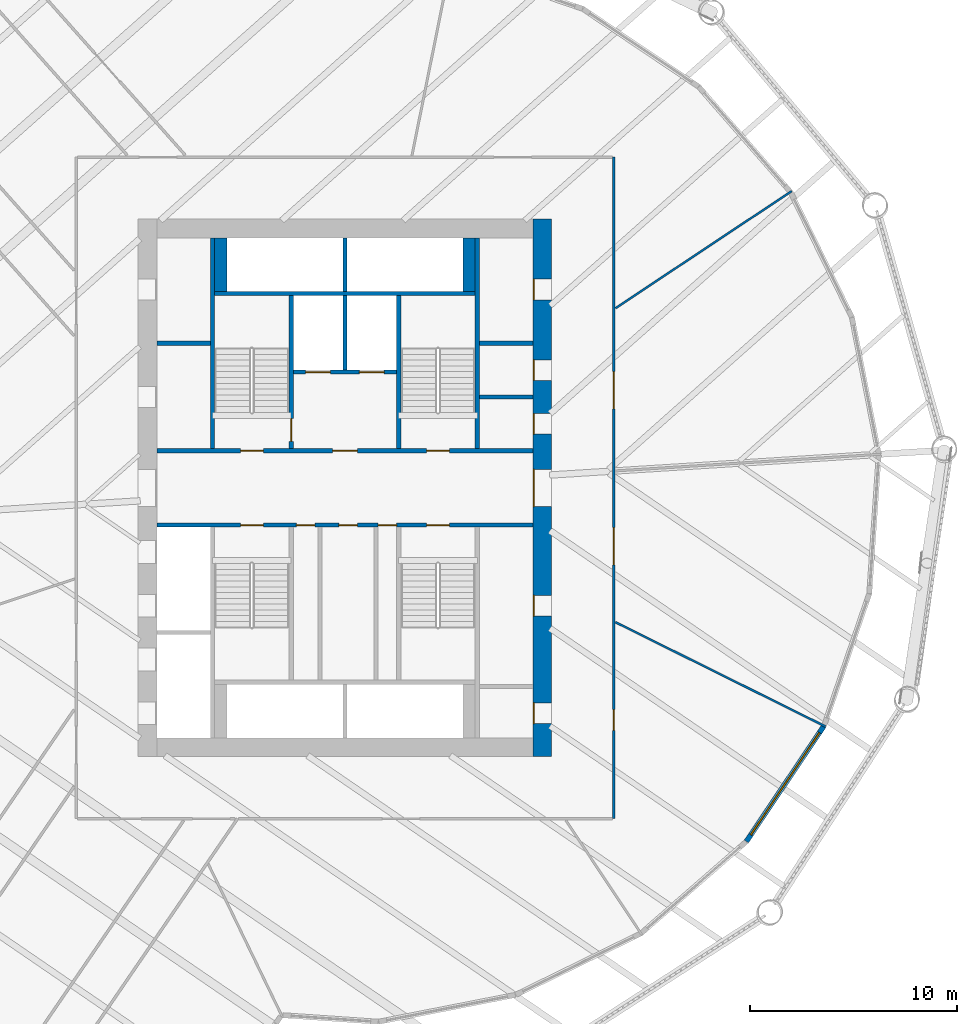
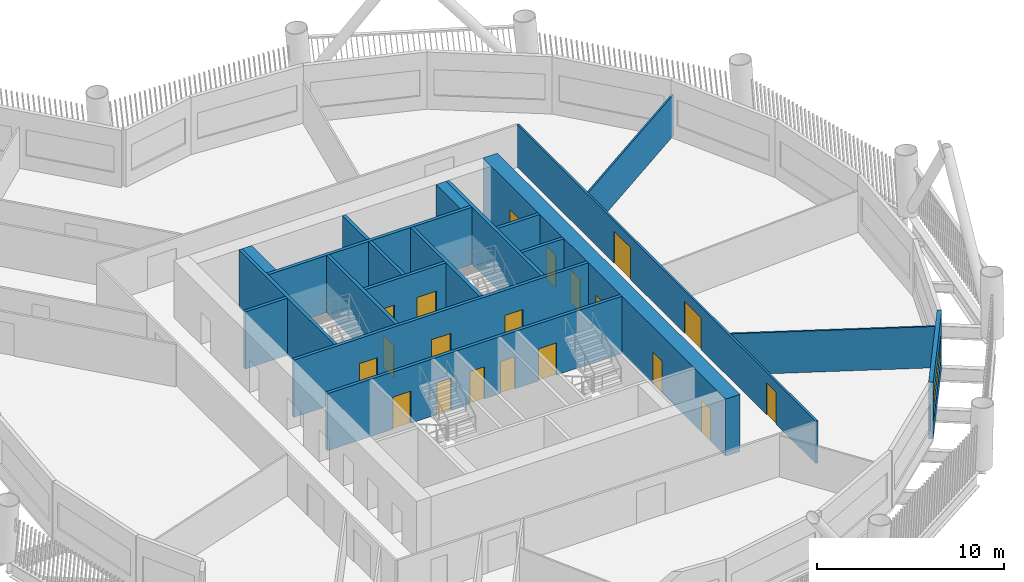
# One storey, part 5 of 22: 20 doors, 20 walls, 1 window, 21 openings.
"""IFC4 building model written with IfcOpenShell, lengths in metres."""

from ifc_helpers import new_model, si_unit, direction, frame, frame_2d, origin, place, context, subcontext, project, spatial, rectangle, extrude, material, layer, layer_set, type_object, element, fill, save


model = new_model("IFC4")

# Units and contexts
model_context = context("Model", 3, precision=1e-05, world=origin(), true_north=direction((0.0, 1.0)))
body_context = subcontext(model_context, "Body", "Model", "MODEL_VIEW")
ifc_project = project(units=[si_unit("LENGTHUNIT", "METRE"), si_unit("AREAUNIT", "SQUARE_METRE"), si_unit("VOLUMEUNIT", "CUBIC_METRE"), si_unit("PLANEANGLEUNIT", "RADIAN"), si_unit("MASSUNIT", "GRAM", prefix="KILO")], contexts=[model_context])

# Site, building, storey
site_placement = place(None, origin())
site = spatial("IfcSite", under=ifc_project, at=site_placement, CompositionType="ELEMENT")
building_placement = place(site_placement, origin())
building = spatial("IfcBuilding", under=site, at=building_placement, Name="Tarsis Ring Headquarters", CompositionType="ELEMENT")
storey_placement = place(building_placement, frame((0.0, 0.0, 55.60009765625)))
storey = spatial("IfcBuildingStorey", under=building, at=storey_placement, Name="L11", CompositionType="ELEMENT", Elevation=55.60009765625)

# Walls
ifc_material_1 = material(Name="Blockwork", Category="masonry")
ifc_layer_1 = layer(ifc_material_1, 0.199951171875)
ifc_layer_set_1 = layer_set([ifc_layer_1], Name="Core blockwork wall 200")
wall_type_1 = type_object("IfcWallType", Name="Core blockwork wall 200", PredefinedType="PARTITIONING", material=ifc_layer_set_1)
for number, where, z_axis, x_axis, name in (
    (1, (-9.10009765625, 7.0, 0.0), (0.0, 0.0, 1.0), (1.0, 0.0, 0.0), "Core partition WD6"),
    (2, (6.5, 4.39990234375, 0.0), (0.0, 0.0, 1.0), (1.0, 0.0, 0.0), "Core partition ED5"),
    (3, (6.5, 7.0, 0.0), (0.0, 0.0, 1.0), (1.0, 0.0, 0.0), "Core partition ED6"),
):
    element("IfcWall", number, at=place(storey_placement, frame(where, z_axis=z_axis, x_axis=x_axis)), inside=storey, type_object=wall_type_1, Name=name, PredefinedType="PARTITIONING", context=body_context, shape_type="SweptSolid", body=[
        extrude(rectangle(XDim=2.60009765625, YDim=0.199951171875, at=frame_2d((1.300048828125, 0.0))), origin(), (0.0, 0.0, 1.0), 3.739990234375),
    ])

# Wall, openings, doors
ifc_material_2 = material(Name="Concrete C60/75", Category="concrete")
ifc_layer_2 = layer(ifc_material_2, 0.89990234375)
ifc_layer_set_2 = layer_set([ifc_layer_2], Name="Core wall 900 C60/75")
wall_type_2 = type_object("IfcWallType", Name="Core wall 900 C60/75", PredefinedType="SHEAR", material=ifc_layer_set_2)
wall_1_placement = place(storey_placement, frame((9.550048828125, -13.0, 0.0), z_axis=(0.0, 0.0, 1.0), x_axis=(0.0, 1.0, 0.0)))
wall_1 = element("IfcWall", 4, at=wall_1_placement, inside=storey, type_object=wall_type_2, Name="Core wall OE", PredefinedType="SHEAR", context=body_context, shape_type="SweptSolid", body=[
    extrude(rectangle(XDim=26.0, YDim=0.89990234375, at=frame_2d((13.0, 0.0))), origin(), (0.0, 0.0, 1.0), 3.739990234375),
])
opening_1_placement = place(wall_1_placement, frame((1.60009765625, 0.0, 0.0)))
opening_1 = element("IfcOpeningElement", 5, at=opening_1_placement, cuts=wall_1, Name="Opening L11-C08", PredefinedType="OPENING", context=body_context, shape_type="SweptSolid", body=[
    extrude(rectangle(XDim=1.0, YDim=2.10009765625, at=frame_2d((0.5, 1.050048828125))), frame((0.0, 0.4599609375, 0.0), z_axis=(0.0, -1.0, 0.0), x_axis=(1.0, 0.0, 0.0)), (0.0, 0.0, 1.0), 0.919921875),
])
opening_2_placement = place(wall_1_placement, frame((6.800048828125, 0.0, 0.0)))
opening_2 = element("IfcOpeningElement", 6, at=opening_2_placement, cuts=wall_1, Name="Opening L11-C09", PredefinedType="OPENING", context=body_context, shape_type="SweptSolid", body=[
    extrude(rectangle(XDim=1.0, YDim=2.10009765625, at=frame_2d((0.5, 1.050048828125))), frame((0.0, 0.4599609375, 0.0), z_axis=(0.0, -1.0, 0.0), x_axis=(1.0, 0.0, 0.0)), (0.0, 0.0, 1.0), 0.919921875),
])
opening_3_placement = place(wall_1_placement, frame((12.10009765625, 0.0, 0.0)))
opening_3 = element("IfcOpeningElement", 7, at=opening_3_placement, cuts=wall_1, Name="Opening L11-C10", PredefinedType="OPENING", context=body_context, shape_type="SweptSolid", body=[
    extrude(rectangle(XDim=1.800048828125, YDim=2.10009765625, at=frame_2d((0.89990234375, 1.050048828125))), frame((0.0, 0.4599609375, 0.0), z_axis=(0.0, -1.0, 0.0), x_axis=(1.0, 0.0, 0.0)), (0.0, 0.0, 1.0), 0.919921875),
])
opening_4_placement = place(wall_1_placement, frame((15.60009765625, 0.0, 0.0)))
opening_4 = element("IfcOpeningElement", 8, at=opening_4_placement, cuts=wall_1, Name="Opening L11-C11", PredefinedType="OPENING", context=body_context, shape_type="SweptSolid", body=[
    extrude(rectangle(XDim=1.0, YDim=2.10009765625, at=frame_2d((0.5, 1.050048828125))), frame((0.0, 0.4599609375, 0.0), z_axis=(0.0, -1.0, 0.0), x_axis=(1.0, 0.0, 0.0)), (0.0, 0.0, 1.0), 0.919921875),
])
opening_5_placement = place(wall_1_placement, frame((18.199951171875, 0.0, 0.0)))
opening_5 = element("IfcOpeningElement", 9, at=opening_5_placement, cuts=wall_1, Name="Opening L11-C12", PredefinedType="OPENING", context=body_context, shape_type="SweptSolid", body=[
    extrude(rectangle(XDim=1.0, YDim=2.10009765625, at=frame_2d((0.5, 1.050048828125))), frame((0.0, 0.4599609375, 0.0), z_axis=(0.0, -1.0, 0.0), x_axis=(1.0, 0.0, 0.0)), (0.0, 0.0, 1.0), 0.919921875),
])
opening_6_placement = place(wall_1_placement, frame((22.10009765625, 0.0, 0.0)))
opening_6 = element("IfcOpeningElement", 10, at=opening_6_placement, cuts=wall_1, Name="Opening L11-C13", PredefinedType="OPENING", context=body_context, shape_type="SweptSolid", body=[
    extrude(rectangle(XDim=1.0, YDim=2.10009765625, at=frame_2d((0.5, 1.050048828125))), frame((0.0, 0.4599609375, 0.0), z_axis=(0.0, -1.0, 0.0), x_axis=(1.0, 0.0, 0.0)), (0.0, 0.0, 1.0), 0.919921875),
])
ifc_material_3 = material(Name="Steel S355", Category="steel")
door_type_1 = type_object("IfcDoorType", Name="Core entry door 1800x2100", OperationType="DOUBLE_DOOR_SINGLE_SWING", PredefinedType="DOOR", material=ifc_material_3)
door_1_placement = place(opening_3_placement, origin())
door_1 = element("IfcDoor", 11, at=door_1_placement, inside=storey, type_object=door_type_1, Name="Core entry door L11", OperationType="DOUBLE_DOOR_SINGLE_SWING", OverallHeight=2.10009765625, OverallWidth=1.800048828125, PredefinedType="DOOR", context=body_context, shape_type="SweptSolid", body=[
    extrude(rectangle(XDim=1.800048828125, YDim=2.10009765625, at=frame_2d((0.89990234375, 1.050048828125))), frame((0.0, 0.4501953125, 0.0), z_axis=(0.0, -1.0, 0.0), x_axis=(1.0, 0.0, 0.0)), (0.0, 0.0, 1.0), 0.050048828125),
])
fill(opening_3, door_1)
door_type_2 = type_object("IfcDoorType", Name="Core room door 1000x2100", OperationType="SINGLE_SWING_LEFT", PredefinedType="DOOR", material=ifc_material_3)
door_2_placement = place(opening_1_placement, origin())
door_2 = element("IfcDoor", 12, at=door_2_placement, inside=storey, type_object=door_type_2, Name="Core room door L11", OperationType="SINGLE_SWING_LEFT", OverallHeight=2.10009765625, OverallWidth=1.0, PredefinedType="DOOR", context=body_context, shape_type="SweptSolid", body=[
    extrude(rectangle(XDim=1.0, YDim=2.10009765625, at=frame_2d((0.5, 1.050048828125))), frame((0.0, 0.4501953125, 0.0), z_axis=(0.0, -1.0, 0.0), x_axis=(1.0, 0.0, 0.0)), (0.0, 0.0, 1.0), 0.050048828125),
])
fill(opening_1, door_2)
door_3_placement = place(opening_2_placement, origin())
door_3 = element("IfcDoor", 13, at=door_3_placement, inside=storey, type_object=door_type_2, Name="Core room door L11", OperationType="SINGLE_SWING_LEFT", OverallHeight=2.10009765625, OverallWidth=1.0, PredefinedType="DOOR", context=body_context, shape_type="SweptSolid", body=[
    extrude(rectangle(XDim=1.0, YDim=2.10009765625, at=frame_2d((0.5, 1.050048828125))), frame((0.0, 0.4501953125, 0.0), z_axis=(0.0, -1.0, 0.0), x_axis=(1.0, 0.0, 0.0)), (0.0, 0.0, 1.0), 0.050048828125),
])
fill(opening_2, door_3)
door_4_placement = place(opening_4_placement, origin())
door_4 = element("IfcDoor", 14, at=door_4_placement, inside=storey, type_object=door_type_2, Name="Core room door L11", OperationType="SINGLE_SWING_LEFT", OverallHeight=2.10009765625, OverallWidth=1.0, PredefinedType="DOOR", context=body_context, shape_type="SweptSolid", body=[
    extrude(rectangle(XDim=1.0, YDim=2.10009765625, at=frame_2d((0.5, 1.050048828125))), frame((0.0, 0.4501953125, 0.0), z_axis=(0.0, -1.0, 0.0), x_axis=(1.0, 0.0, 0.0)), (0.0, 0.0, 1.0), 0.050048828125),
])
fill(opening_4, door_4)
door_5_placement = place(opening_5_placement, origin())
door_5 = element("IfcDoor", 15, at=door_5_placement, inside=storey, type_object=door_type_2, Name="Core room door L11", OperationType="SINGLE_SWING_LEFT", OverallHeight=2.10009765625, OverallWidth=1.0, PredefinedType="DOOR", context=body_context, shape_type="SweptSolid", body=[
    extrude(rectangle(XDim=1.0, YDim=2.10009765625, at=frame_2d((0.5, 1.050048828125))), frame((0.0, 0.4501953125, 0.0), z_axis=(0.0, -1.0, 0.0), x_axis=(1.0, 0.0, 0.0)), (0.0, 0.0, 1.0), 0.050048828125),
])
fill(opening_5, door_5)
door_6_placement = place(opening_6_placement, origin())
door_6 = element("IfcDoor", 16, at=door_6_placement, inside=storey, type_object=door_type_2, Name="Core room door L11", OperationType="SINGLE_SWING_LEFT", OverallHeight=2.10009765625, OverallWidth=1.0, PredefinedType="DOOR", context=body_context, shape_type="SweptSolid", body=[
    extrude(rectangle(XDim=1.0, YDim=2.10009765625, at=frame_2d((0.5, 1.050048828125))), frame((0.0, 0.4501953125, 0.0), z_axis=(0.0, -1.0, 0.0), x_axis=(1.0, 0.0, 0.0)), (0.0, 0.0, 1.0), 0.050048828125),
])
fill(opening_6, door_6)

# Walls
ifc_material_4 = material(Name="Gypsum board on steel studs", Category="steel")
ifc_layer_3 = layer(ifc_material_4, 0.10009765625)
ifc_layer_set_3 = layer_set([ifc_layer_3], Name="FL partition 100 unrated")
wall_type_3 = type_object("IfcWallType", Name="FL partition 100 unrated", PredefinedType="PARTITIONING", material=ifc_layer_set_3)
wall_2_placement = place(storey_placement, frame((13.08056640625, -6.493408203125, 0.0), z_axis=(0.0, 0.0, 1.0), x_axis=(0.895714738041, -0.444629180392, 0.0)))
element("IfcWall", 17, at=wall_2_placement, inside=storey, type_object=wall_type_3, Name="Partition PW3", PredefinedType="PARTITIONING", context=body_context, shape_type="SweptSolid", body=[
    extrude(rectangle(XDim=11.34423828125, YDim=0.10009765625, at=frame_2d((5.672119140625, 0.0))), origin(), (0.0, 0.0, 1.0), 2.699951171875),
])
wall_3_placement = place(storey_placement, frame((13.083251953125, 8.6923828125, 0.0), z_axis=(0.0, 0.0, 1.0), x_axis=(0.832914898871, 0.553401094361, 0.0)))
element("IfcWall", 18, at=wall_3_placement, inside=storey, type_object=wall_type_3, Name="Partition PW3", PredefinedType="PARTITIONING", context=body_context, shape_type="SweptSolid", body=[
    extrude(rectangle(XDim=10.240234375, YDim=0.10009765625, at=frame_2d((5.1201171875, 0.0))), origin(), (0.0, 0.0, 1.0), 2.699951171875),
])

# Wall, openings, doors
ifc_layer_4 = layer(ifc_material_4, 0.125)
ifc_layer_set_4 = layer_set([ifc_layer_4], Name="FL partition 125 EI 60 H2770")
wall_type_4 = type_object("IfcWallType", Name="FL partition 125 EI 60 H2770", PredefinedType="PARTITIONING", material=ifc_layer_set_4)
wall_4_placement = place(storey_placement, frame((13.0, -16.0, 0.0), z_axis=(0.0, 0.0, 1.0), x_axis=(0.0, 1.0, 0.0)))
wall_4 = element("IfcWall", 19, at=wall_4_placement, inside=storey, type_object=wall_type_4, Name="Partition PW1", PredefinedType="PARTITIONING", context=body_context, shape_type="SweptSolid", body=[
    extrude(rectangle(XDim=32.0, YDim=0.125, at=frame_2d((16.0, 0.0))), origin(), (0.0, 0.0, 1.0), 2.77001953125),
])
opening_7_placement = place(wall_4_placement, frame((19.827392578125, 0.0, 0.0)))
opening_7 = element("IfcOpeningElement", 20, at=opening_7_placement, cuts=wall_4, Name="Opening D11.06", PredefinedType="OPENING", context=body_context, shape_type="SweptSolid", body=[
    extrude(rectangle(XDim=1.800048828125, YDim=2.10009765625, at=frame_2d((0.89990234375, 1.050048828125))), frame((0.0, 0.072509765625, 0.0), z_axis=(0.0, -1.0, 0.0), x_axis=(1.0, 0.0, 0.0)), (0.0, 0.0, 1.0), 0.14501953125),
])
opening_8_placement = place(wall_4_placement, frame((12.2822265625, 0.0, 0.0)))
opening_8 = element("IfcOpeningElement", 21, at=opening_8_placement, cuts=wall_4, Name="Opening D11.07", PredefinedType="OPENING", context=body_context, shape_type="SweptSolid", body=[
    extrude(rectangle(XDim=1.800048828125, YDim=2.10009765625, at=frame_2d((0.89990234375, 1.050048828125))), frame((0.0, 0.072509765625, 0.0), z_axis=(0.0, -1.0, 0.0), x_axis=(1.0, 0.0, 0.0)), (0.0, 0.0, 1.0), 0.14501953125),
])
opening_9_placement = place(wall_4_placement, frame((4.2734375, 0.0, 0.0)))
opening_9 = element("IfcOpeningElement", 22, at=opening_9_placement, cuts=wall_4, Name="Opening D11.08", PredefinedType="OPENING", context=body_context, shape_type="SweptSolid", body=[
    extrude(rectangle(XDim=1.0, YDim=2.10009765625, at=frame_2d((0.5, 1.050048828125))), frame((0.0, 0.072509765625, 0.0), z_axis=(0.0, -1.0, 0.0), x_axis=(1.0, 0.0, 0.0)), (0.0, 0.0, 1.0), 0.14501953125),
])
ifc_material_5 = material(Name="Fire-rated timber door leaf in steel frame", Category="steel")
door_type_3 = type_object("IfcDoorType", Name="FL door FD60-1000", OperationType="NOTDEFINED", PredefinedType="DOOR", material=ifc_material_5)
door_7_placement = place(opening_9_placement, origin())
door_7 = element("IfcDoor", 23, at=door_7_placement, inside=storey, type_object=door_type_3, Name="Door D11.08", OperationType="SINGLE_SWING_LEFT", OverallHeight=2.10009765625, OverallWidth=1.0, PredefinedType="DOOR", context=body_context, shape_type="SweptSolid", body=[
    extrude(rectangle(XDim=1.0, YDim=2.10009765625, at=frame_2d((0.5, 1.050048828125))), frame((0.0, 0.02490234375, 0.0), z_axis=(0.0, -1.0, 0.0), x_axis=(1.0, 0.0, 0.0)), (0.0, 0.0, 1.0), 0.050048828125),
])
fill(opening_9, door_7)
door_type_4 = type_object("IfcDoorType", Name="FL door FD60-1800", OperationType="DOUBLE_DOOR_SINGLE_SWING", PredefinedType="DOOR", material=ifc_material_5)
door_8_placement = place(opening_7_placement, origin())
door_8 = element("IfcDoor", 24, at=door_8_placement, inside=storey, type_object=door_type_4, Name="Door D11.06", OperationType="DOUBLE_DOOR_SINGLE_SWING", OverallHeight=2.10009765625, OverallWidth=1.800048828125, PredefinedType="DOOR", context=body_context, shape_type="SweptSolid", body=[
    extrude(rectangle(XDim=1.800048828125, YDim=2.10009765625, at=frame_2d((0.89990234375, 1.050048828125))), frame((0.0, 0.02490234375, 0.0), z_axis=(0.0, -1.0, 0.0), x_axis=(1.0, 0.0, 0.0)), (0.0, 0.0, 1.0), 0.050048828125),
])
fill(opening_7, door_8)
door_9_placement = place(opening_8_placement, origin())
door_9 = element("IfcDoor", 25, at=door_9_placement, inside=storey, type_object=door_type_4, Name="Door D11.07", OperationType="DOUBLE_DOOR_SINGLE_SWING", OverallHeight=2.10009765625, OverallWidth=1.800048828125, PredefinedType="DOOR", context=body_context, shape_type="SweptSolid", body=[
    extrude(rectangle(XDim=1.800048828125, YDim=2.10009765625, at=frame_2d((0.89990234375, 1.050048828125))), frame((0.0, 0.02490234375, 0.0), z_axis=(0.0, -1.0, 0.0), x_axis=(1.0, 0.0, 0.0)), (0.0, 0.0, 1.0), 0.050048828125),
])
fill(opening_8, door_9)

# Wall, opening, window
ifc_material_6 = material(Name="Terracotta clad insulated panel wall", Category="masonry")
ifc_layer_5 = layer(ifc_material_6, 0.25)
ifc_layer_set_5 = layer_set([ifc_layer_5], Name="Facade wall terracotta panel 250")
wall_type_5 = type_object("IfcWallType", Name="Facade wall terracotta panel 250", PredefinedType="STANDARD", material=ifc_layer_set_5)
wall_5_placement = place(storey_placement, frame((19.41748046875, -17.09716796875, 0.0), z_axis=(0.0, 0.0, 1.0), x_axis=(0.557747442943, 0.830010716732, 0.0)))
wall_5 = element("IfcWall", 26, at=wall_5_placement, inside=storey, type_object=wall_type_5, Name="External wall L11-21", PredefinedType="STANDARD", context=body_context, shape_type="SweptSolid", body=[
    extrude(rectangle(XDim=6.7216796875, YDim=0.25, at=frame_2d((3.36083984375, 0.0))), origin(), (0.0, 0.0, 1.0), 3.739990234375),
])
opening_10_placement = place(wall_5_placement, frame((0.3857421875, 0.0, 0.89990234375)))
opening_10 = element("IfcOpeningElement", 27, at=opening_10_placement, cuts=wall_5, Name="Opening WN07", PredefinedType="OPENING", context=body_context, shape_type="SweptSolid", body=[
    extrude(rectangle(XDim=5.949951171875, YDim=1.699951171875, at=frame_2d((2.97509765625, 0.85009765625))), frame((0.0, 0.135009765625, 0.0), z_axis=(0.0, -1.0, 0.0), x_axis=(1.0, 0.0, 0.0)), (0.0, 0.0, 1.0), 0.27001953125),
])
ifc_material_7 = material(Name="Aluminium framed double glazing", Category="aluminium")
window_type = type_object("IfcWindowType", Name="Facade window 5950 x 1700", PartitioningType="SINGLE_PANEL", PredefinedType="WINDOW", material=ifc_material_7)
window_placement = place(opening_10_placement, origin())
window = element("IfcWindow", 28, at=window_placement, inside=storey, type_object=window_type, Name="Window L11-21.1", OverallHeight=1.699951171875, OverallWidth=5.949951171875, PartitioningType="SINGLE_PANEL", PredefinedType="WINDOW", context=body_context, shape_type="SweptSolid", body=[
    extrude(rectangle(XDim=5.949951171875, YDim=1.699951171875, at=frame_2d((2.97509765625, 0.85009765625))), frame((0.0, 0.030029296875, 0.0), z_axis=(0.0, -1.0, 0.0), x_axis=(1.0, 0.0, 0.0)), (0.0, 0.0, 1.0), 0.06005859375),
])
fill(opening_10, window)

# Walls
ifc_material_8 = material(Name="Concrete C32/40", Category="concrete")
ifc_layer_6 = layer(ifc_material_8, 0.60009765625)
ifc_layer_set_6 = layer_set([ifc_layer_6], Name="Shaft end wall 600 C32/40")
wall_type_6 = type_object("IfcWallType", Name="Shaft end wall 600 C32/40", PredefinedType="SOLIDWALL", material=ifc_layer_set_6)
for number, where, z_axis, x_axis, name in (
    (29, (-6.0, 9.5, 0.0), (0.0, 0.0, 1.0), (0.0, 1.0, 0.0), "Core shaft wall NNE1"),
    (30, (6.0, 9.5, 0.0), (0.0, 0.0, 1.0), (0.0, 1.0, 0.0), "Core shaft wall NNE2"),
):
    element("IfcWall", number, at=place(storey_placement, frame(where, z_axis=z_axis, x_axis=x_axis)), inside=storey, type_object=wall_type_6, Name=name, PredefinedType="SOLIDWALL", context=body_context, shape_type="SweptSolid", body=[
        extrude(rectangle(XDim=2.60009765625, YDim=0.60009765625, at=frame_2d((1.300048828125, 0.0))), origin(), (0.0, 0.0, 1.0), 3.739990234375),
    ])

# Wall, openings, doors
ifc_layer_7 = layer(ifc_material_8, 0.199951171875)
ifc_layer_set_7 = layer_set([ifc_layer_7], Name="Shaft wall 200 C32/40")
wall_type_7 = type_object("IfcWallType", Name="Shaft wall 200 C32/40", PredefinedType="SOLIDWALL", material=ifc_layer_set_7)
wall_6_placement = place(storey_placement, frame((-9.10009765625, 1.800048828125, 0.0), z_axis=(0.0, 0.0, 1.0), x_axis=(1.0, 0.0, 0.0)))
wall_6 = element("IfcWall", 31, at=wall_6_placement, inside=storey, type_object=wall_type_7, Name="Core shaft wall CN", PredefinedType="SOLIDWALL", context=body_context, shape_type="SweptSolid", body=[
    extrude(rectangle(XDim=18.2001953125, YDim=0.199951171875, at=frame_2d((9.10009765625, 0.0))), origin(), (0.0, 0.0, 1.0), 3.739990234375),
])
opening_11_placement = place(wall_6_placement, frame((4.050048828125, 0.0, 0.0)))
opening_11 = element("IfcOpeningElement", 32, at=opening_11_placement, cuts=wall_6, Name="Opening L11-C14", PredefinedType="OPENING", context=body_context, shape_type="SweptSolid", body=[
    extrude(rectangle(XDim=1.10009765625, YDim=2.10009765625, at=frame_2d((0.550048828125, 1.050048828125))), frame((0.0, 0.10986328125, 0.0), z_axis=(0.0, -1.0, 0.0), x_axis=(1.0, 0.0, 0.0)), (0.0, 0.0, 1.0), 0.219970703125),
])
opening_12_placement = place(wall_6_placement, frame((8.5, 0.0, 0.0)))
opening_12 = element("IfcOpeningElement", 33, at=opening_12_placement, cuts=wall_6, Name="Opening L11-C15", PredefinedType="OPENING", context=body_context, shape_type="SweptSolid", body=[
    extrude(rectangle(XDim=1.199951171875, YDim=2.10009765625, at=frame_2d((0.60009765625, 1.050048828125))), frame((0.0, 0.10986328125, 0.0), z_axis=(0.0, -1.0, 0.0), x_axis=(1.0, 0.0, 0.0)), (0.0, 0.0, 1.0), 0.219970703125),
])
opening_13_placement = place(wall_6_placement, frame((13.050048828125, 0.0, 0.0)))
opening_13 = element("IfcOpeningElement", 34, at=opening_13_placement, cuts=wall_6, Name="Opening L11-C16", PredefinedType="OPENING", context=body_context, shape_type="SweptSolid", body=[
    extrude(rectangle(XDim=1.10009765625, YDim=2.10009765625, at=frame_2d((0.550048828125, 1.050048828125))), frame((0.0, 0.10986328125, 0.0), z_axis=(0.0, -1.0, 0.0), x_axis=(1.0, 0.0, 0.0)), (0.0, 0.0, 1.0), 0.219970703125),
])
door_type_5 = type_object("IfcDoorType", Name="Firefighting lobby door 1200x2100", OperationType="DOUBLE_DOOR_SINGLE_SWING", PredefinedType="DOOR", material=ifc_material_3)
door_10_placement = place(opening_12_placement, origin())
door_10 = element("IfcDoor", 35, at=door_10_placement, inside=storey, type_object=door_type_5, Name="Firefighting lobby door L11", OperationType="DOUBLE_DOOR_SINGLE_SWING", OverallHeight=2.10009765625, OverallWidth=1.199951171875, PredefinedType="DOOR", context=body_context, shape_type="SweptSolid", body=[
    extrude(rectangle(XDim=1.199951171875, YDim=2.10009765625, at=frame_2d((0.60009765625, 1.050048828125))), frame((0.0, 0.02490234375, 0.0), z_axis=(0.0, -1.0, 0.0), x_axis=(1.0, 0.0, 0.0)), (0.0, 0.0, 1.0), 0.050048828125),
])
fill(opening_12, door_10)
door_type_6 = type_object("IfcDoorType", Name="Stair door 1100x2100", OperationType="SINGLE_SWING_LEFT", PredefinedType="DOOR", material=ifc_material_3)
door_11_placement = place(opening_11_placement, origin())
door_11 = element("IfcDoor", 36, at=door_11_placement, inside=storey, type_object=door_type_6, Name="Stair door L11", OperationType="SINGLE_SWING_LEFT", OverallHeight=2.10009765625, OverallWidth=1.10009765625, PredefinedType="DOOR", context=body_context, shape_type="SweptSolid", body=[
    extrude(rectangle(XDim=1.10009765625, YDim=2.10009765625, at=frame_2d((0.550048828125, 1.050048828125))), frame((0.0, 0.02490234375, 0.0), z_axis=(0.0, -1.0, 0.0), x_axis=(1.0, 0.0, 0.0)), (0.0, 0.0, 1.0), 0.050048828125),
])
fill(opening_11, door_11)
door_12_placement = place(opening_13_placement, origin())
door_12 = element("IfcDoor", 37, at=door_12_placement, inside=storey, type_object=door_type_6, Name="Stair door L11", OperationType="SINGLE_SWING_LEFT", OverallHeight=2.10009765625, OverallWidth=1.10009765625, PredefinedType="DOOR", context=body_context, shape_type="SweptSolid", body=[
    extrude(rectangle(XDim=1.10009765625, YDim=2.10009765625, at=frame_2d((0.550048828125, 1.050048828125))), frame((0.0, 0.02490234375, 0.0), z_axis=(0.0, -1.0, 0.0), x_axis=(1.0, 0.0, 0.0)), (0.0, 0.0, 1.0), 0.050048828125),
])
fill(opening_13, door_12)

wall_7_placement = place(storey_placement, frame((-9.10009765625, -1.800048828125, 0.0), z_axis=(0.0, 0.0, 1.0), x_axis=(1.0, 0.0, 0.0)))
wall_7 = element("IfcWall", 38, at=wall_7_placement, inside=storey, type_object=wall_type_7, Name="Core shaft wall CS", PredefinedType="SOLIDWALL", context=body_context, shape_type="SweptSolid", body=[
    extrude(rectangle(XDim=18.2001953125, YDim=0.199951171875, at=frame_2d((9.10009765625, 0.0))), origin(), (0.0, 0.0, 1.0), 3.739990234375),
])
opening_14_placement = place(wall_7_placement, frame((4.050048828125, 0.0, 0.0)))
opening_14 = element("IfcOpeningElement", 39, at=opening_14_placement, cuts=wall_7, Name="Opening L11-C17", PredefinedType="OPENING", context=body_context, shape_type="SweptSolid", body=[
    extrude(rectangle(XDim=1.10009765625, YDim=2.10009765625, at=frame_2d((0.550048828125, 1.050048828125))), frame((0.0, 0.10986328125, 0.0), z_axis=(0.0, -1.0, 0.0), x_axis=(1.0, 0.0, 0.0)), (0.0, 0.0, 1.0), 0.219970703125),
])
opening_15_placement = place(wall_7_placement, frame((6.75, 0.0, 0.0)))
opening_15 = element("IfcOpeningElement", 40, at=opening_15_placement, cuts=wall_7, Name="Opening L11-C18", PredefinedType="OPENING", context=body_context, shape_type="SweptSolid", body=[
    extrude(rectangle(XDim=0.89990234375, YDim=2.10009765625, at=frame_2d((0.449951171875, 1.050048828125))), frame((0.0, 0.10986328125, 0.0), z_axis=(0.0, -1.0, 0.0), x_axis=(1.0, 0.0, 0.0)), (0.0, 0.0, 1.0), 0.219970703125),
])
opening_16_placement = place(wall_7_placement, frame((8.800048828125, 0.0, 0.0)))
opening_16 = element("IfcOpeningElement", 41, at=opening_16_placement, cuts=wall_7, Name="Opening L11-C19", PredefinedType="OPENING", context=body_context, shape_type="SweptSolid", body=[
    extrude(rectangle(XDim=0.89990234375, YDim=2.10009765625, at=frame_2d((0.449951171875, 1.050048828125))), frame((0.0, 0.10986328125, 0.0), z_axis=(0.0, -1.0, 0.0), x_axis=(1.0, 0.0, 0.0)), (0.0, 0.0, 1.0), 0.219970703125),
])
opening_17_placement = place(wall_7_placement, frame((10.699951171875, 0.0, 0.0)))
opening_17 = element("IfcOpeningElement", 42, at=opening_17_placement, cuts=wall_7, Name="Opening L11-C20", PredefinedType="OPENING", context=body_context, shape_type="SweptSolid", body=[
    extrude(rectangle(XDim=0.89990234375, YDim=2.10009765625, at=frame_2d((0.449951171875, 1.050048828125))), frame((0.0, 0.10986328125, 0.0), z_axis=(0.0, -1.0, 0.0), x_axis=(1.0, 0.0, 0.0)), (0.0, 0.0, 1.0), 0.219970703125),
])
opening_18_placement = place(wall_7_placement, frame((13.050048828125, 0.0, 0.0)))
opening_18 = element("IfcOpeningElement", 43, at=opening_18_placement, cuts=wall_7, Name="Opening L11-C21", PredefinedType="OPENING", context=body_context, shape_type="SweptSolid", body=[
    extrude(rectangle(XDim=1.10009765625, YDim=2.10009765625, at=frame_2d((0.550048828125, 1.050048828125))), frame((0.0, 0.10986328125, 0.0), z_axis=(0.0, -1.0, 0.0), x_axis=(1.0, 0.0, 0.0)), (0.0, 0.0, 1.0), 0.219970703125),
])
door_13_placement = place(opening_14_placement, origin())
door_13 = element("IfcDoor", 44, at=door_13_placement, inside=storey, type_object=door_type_6, Name="Stair door L11", OperationType="SINGLE_SWING_LEFT", OverallHeight=2.10009765625, OverallWidth=1.10009765625, PredefinedType="DOOR", context=body_context, shape_type="SweptSolid", body=[
    extrude(rectangle(XDim=1.10009765625, YDim=2.10009765625, at=frame_2d((0.550048828125, 1.050048828125))), frame((0.0, 0.02490234375, 0.0), z_axis=(0.0, -1.0, 0.0), x_axis=(1.0, 0.0, 0.0)), (0.0, 0.0, 1.0), 0.050048828125),
])
fill(opening_14, door_13)
door_14_placement = place(opening_18_placement, origin())
door_14 = element("IfcDoor", 45, at=door_14_placement, inside=storey, type_object=door_type_6, Name="Stair door L11", OperationType="SINGLE_SWING_LEFT", OverallHeight=2.10009765625, OverallWidth=1.10009765625, PredefinedType="DOOR", context=body_context, shape_type="SweptSolid", body=[
    extrude(rectangle(XDim=1.10009765625, YDim=2.10009765625, at=frame_2d((0.550048828125, 1.050048828125))), frame((0.0, 0.02490234375, 0.0), z_axis=(0.0, -1.0, 0.0), x_axis=(1.0, 0.0, 0.0)), (0.0, 0.0, 1.0), 0.050048828125),
])
fill(opening_18, door_14)
door_type_7 = type_object("IfcDoorType", Name="WC door 900x2100", OperationType="SINGLE_SWING_LEFT", PredefinedType="DOOR", material=ifc_material_3)
door_15_placement = place(opening_15_placement, origin())
door_15 = element("IfcDoor", 46, at=door_15_placement, inside=storey, type_object=door_type_7, Name="WC door L11", OperationType="SINGLE_SWING_LEFT", OverallHeight=2.10009765625, OverallWidth=0.89990234375, PredefinedType="DOOR", context=body_context, shape_type="SweptSolid", body=[
    extrude(rectangle(XDim=0.89990234375, YDim=2.10009765625, at=frame_2d((0.449951171875, 1.050048828125))), frame((0.0, 0.02490234375, 0.0), z_axis=(0.0, -1.0, 0.0), x_axis=(1.0, 0.0, 0.0)), (0.0, 0.0, 1.0), 0.050048828125),
])
fill(opening_15, door_15)
door_16_placement = place(opening_16_placement, origin())
door_16 = element("IfcDoor", 47, at=door_16_placement, inside=storey, type_object=door_type_7, Name="WC door L11", OperationType="SINGLE_SWING_LEFT", OverallHeight=2.10009765625, OverallWidth=0.89990234375, PredefinedType="DOOR", context=body_context, shape_type="SweptSolid", body=[
    extrude(rectangle(XDim=0.89990234375, YDim=2.10009765625, at=frame_2d((0.449951171875, 1.050048828125))), frame((0.0, 0.02490234375, 0.0), z_axis=(0.0, -1.0, 0.0), x_axis=(1.0, 0.0, 0.0)), (0.0, 0.0, 1.0), 0.050048828125),
])
fill(opening_16, door_16)
door_17_placement = place(opening_17_placement, origin())
door_17 = element("IfcDoor", 48, at=door_17_placement, inside=storey, type_object=door_type_7, Name="WC door L11", OperationType="SINGLE_SWING_LEFT", OverallHeight=2.10009765625, OverallWidth=0.89990234375, PredefinedType="DOOR", context=body_context, shape_type="SweptSolid", body=[
    extrude(rectangle(XDim=0.89990234375, YDim=2.10009765625, at=frame_2d((0.449951171875, 1.050048828125))), frame((0.0, 0.02490234375, 0.0), z_axis=(0.0, -1.0, 0.0), x_axis=(1.0, 0.0, 0.0)), (0.0, 0.0, 1.0), 0.050048828125),
])
fill(opening_17, door_17)

# Walls
for number, where, z_axis, x_axis, name in (
    (49, (-6.39990234375, 1.89990234375, 0.0), (0.0, 0.0, 1.0), (0.0, 1.0, 0.0), "Core shaft wall WB2"),
    (50, (6.39990234375, 1.89990234375, 0.0), (0.0, 0.0, 1.0), (0.0, 1.0, 0.0), "Core shaft wall EB2"),
):
    element("IfcWall", number, at=place(storey_placement, frame(where, z_axis=z_axis, x_axis=x_axis)), inside=storey, type_object=wall_type_7, Name=name, PredefinedType="SOLIDWALL", context=body_context, shape_type="SweptSolid", body=[
        extrude(rectangle(XDim=10.2001953125, YDim=0.199951171875, at=frame_2d((5.10009765625, 0.0))), origin(), (0.0, 0.0, 1.0), 3.739990234375),
    ])
wall_8_placement = place(storey_placement, frame((-6.300048828125, 9.39990234375, 0.0), z_axis=(0.0, 0.0, 1.0), x_axis=(1.0, 0.0, 0.0)))
element("IfcWall", 51, at=wall_8_placement, inside=storey, type_object=wall_type_7, Name="Core shaft wall NB", PredefinedType="SOLIDWALL", context=body_context, shape_type="SweptSolid", body=[
    extrude(rectangle(XDim=12.60009765625, YDim=0.199951171875, at=frame_2d((6.300048828125, 0.0))), origin(), (0.0, 0.0, 1.0), 3.739990234375),
])

# Wall, opening, door
wall_9_placement = place(storey_placement, frame((-2.60009765625, 1.89990234375, 0.0), z_axis=(0.0, 0.0, 1.0), x_axis=(0.0, 1.0, 0.0)))
wall_9 = element("IfcWall", 52, at=wall_9_placement, inside=storey, type_object=wall_type_7, Name="Core shaft wall SW1", PredefinedType="SOLIDWALL", context=body_context, shape_type="SweptSolid", body=[
    extrude(rectangle(XDim=7.400146484375, YDim=0.199951171875, at=frame_2d((3.7001953125, 0.0))), origin(), (0.0, 0.0, 1.0), 3.739990234375),
])
opening_19_placement = place(wall_9_placement, frame((0.35009765625, 0.0, 0.0)))
opening_19 = element("IfcOpeningElement", 53, at=opening_19_placement, cuts=wall_9, Name="Opening L11-C22", PredefinedType="OPENING", context=body_context, shape_type="SweptSolid", body=[
    extrude(rectangle(XDim=1.10009765625, YDim=2.10009765625, at=frame_2d((0.550048828125, 1.050048828125))), frame((0.0, 0.10986328125, 0.0), z_axis=(0.0, -1.0, 0.0), x_axis=(1.0, 0.0, 0.0)), (0.0, 0.0, 1.0), 0.219970703125),
])
door_18_placement = place(opening_19_placement, origin())
door_18 = element("IfcDoor", 54, at=door_18_placement, inside=storey, type_object=door_type_6, Name="Stair door L11", OperationType="SINGLE_SWING_LEFT", OverallHeight=2.10009765625, OverallWidth=1.10009765625, PredefinedType="DOOR", context=body_context, shape_type="SweptSolid", body=[
    extrude(rectangle(XDim=1.10009765625, YDim=2.10009765625, at=frame_2d((0.550048828125, 1.050048828125))), frame((0.0, 0.02490234375, 0.0), z_axis=(0.0, -1.0, 0.0), x_axis=(1.0, 0.0, 0.0)), (0.0, 0.0, 1.0), 0.050048828125),
])
fill(opening_19, door_18)

# Wall
wall_10_placement = place(storey_placement, frame((2.60009765625, 1.89990234375, 0.0), z_axis=(0.0, 0.0, 1.0), x_axis=(0.0, 1.0, 0.0)))
element("IfcWall", 55, at=wall_10_placement, inside=storey, type_object=wall_type_7, Name="Core shaft wall SW2", PredefinedType="SOLIDWALL", context=body_context, shape_type="SweptSolid", body=[
    extrude(rectangle(XDim=7.400146484375, YDim=0.199951171875, at=frame_2d((3.7001953125, 0.0))), origin(), (0.0, 0.0, 1.0), 3.739990234375),
])

# Wall, openings, doors
wall_11_placement = place(storey_placement, frame((-2.5, 5.60009765625, 0.0), z_axis=(0.0, 0.0, 1.0), x_axis=(1.0, 0.0, 0.0)))
wall_11 = element("IfcWall", 56, at=wall_11_placement, inside=storey, type_object=wall_type_7, Name="Core shaft wall FFN", PredefinedType="SOLIDWALL", context=body_context, shape_type="SweptSolid", body=[
    extrude(rectangle(XDim=5.0, YDim=0.199951171875, at=frame_2d((2.5, 0.0))), origin(), (0.0, 0.0, 1.0), 3.739990234375),
])
opening_20_placement = place(wall_11_placement, frame((0.60009765625, 0.0, 0.0)))
opening_20 = element("IfcOpeningElement", 57, at=opening_20_placement, cuts=wall_11, Name="Opening LDF-1", PredefinedType="OPENING", context=body_context, shape_type="SweptSolid", body=[
    extrude(rectangle(XDim=1.199951171875, YDim=2.10009765625, at=frame_2d((0.60009765625, 1.050048828125))), frame((0.0, 0.10986328125, 0.0), z_axis=(0.0, -1.0, 0.0), x_axis=(1.0, 0.0, 0.0)), (0.0, 0.0, 1.0), 0.219970703125),
])
opening_21_placement = place(wall_11_placement, frame((3.199951171875, 0.0, 0.0)))
opening_21 = element("IfcOpeningElement", 58, at=opening_21_placement, cuts=wall_11, Name="Opening LDF-2", PredefinedType="OPENING", context=body_context, shape_type="SweptSolid", body=[
    extrude(rectangle(XDim=1.199951171875, YDim=2.10009765625, at=frame_2d((0.60009765625, 1.050048828125))), frame((0.0, 0.10986328125, 0.0), z_axis=(0.0, -1.0, 0.0), x_axis=(1.0, 0.0, 0.0)), (0.0, 0.0, 1.0), 0.219970703125),
])
door_type_8 = type_object("IfcDoorType", Name="Firefighting landing door 1200x2100", OperationType="SLIDING_TO_LEFT", PredefinedType="DOOR", material=ifc_material_3)
door_19_placement = place(opening_20_placement, origin())
door_19 = element("IfcDoor", 59, at=door_19_placement, inside=storey, type_object=door_type_8, Name="Landing door FF1 L11", OperationType="SLIDING_TO_LEFT", OverallHeight=2.10009765625, OverallWidth=1.199951171875, PredefinedType="DOOR", context=body_context, shape_type="SweptSolid", body=[
    extrude(rectangle(XDim=1.199951171875, YDim=2.10009765625, at=frame_2d((0.60009765625, 1.050048828125))), frame((0.0, 0.02490234375, 0.0), z_axis=(0.0, -1.0, 0.0), x_axis=(1.0, 0.0, 0.0)), (0.0, 0.0, 1.0), 0.050048828125),
])
fill(opening_20, door_19)
door_20_placement = place(opening_21_placement, origin())
door_20 = element("IfcDoor", 60, at=door_20_placement, inside=storey, type_object=door_type_8, Name="Landing door FF2 L11", OperationType="SLIDING_TO_LEFT", OverallHeight=2.10009765625, OverallWidth=1.199951171875, PredefinedType="DOOR", context=body_context, shape_type="SweptSolid", body=[
    extrude(rectangle(XDim=1.199951171875, YDim=2.10009765625, at=frame_2d((0.60009765625, 1.050048828125))), frame((0.0, 0.02490234375, 0.0), z_axis=(0.0, -1.0, 0.0), x_axis=(1.0, 0.0, 0.0)), (0.0, 0.0, 1.0), 0.050048828125),
])
fill(opening_21, door_20)

# Walls
wall_12_placement = place(storey_placement, frame((0.0, 5.699951171875, 0.0), z_axis=(0.0, 0.0, 1.0), x_axis=(0.0, 1.0, 0.0)))
element("IfcWall", 61, at=wall_12_placement, inside=storey, type_object=wall_type_7, Name="Core shaft wall FFD", PredefinedType="SOLIDWALL", context=body_context, shape_type="SweptSolid", body=[
    extrude(rectangle(XDim=3.60009765625, YDim=0.199951171875, at=frame_2d((1.800048828125, 0.0))), origin(), (0.0, 0.0, 1.0), 3.739990234375),
])
wall_13_placement = place(storey_placement, frame((0.0, 9.5, 0.0), z_axis=(0.0, 0.0, 1.0), x_axis=(0.0, 1.0, 0.0)))
element("IfcWall", 62, at=wall_13_placement, inside=storey, type_object=wall_type_7, Name="Core shaft wall ND2", PredefinedType="SOLIDWALL", context=body_context, shape_type="SweptSolid", body=[
    extrude(rectangle(XDim=2.60009765625, YDim=0.199951171875, at=frame_2d((1.300048828125, 0.0))), origin(), (0.0, 0.0, 1.0), 3.739990234375),
])

save(model, "model.ifc")
